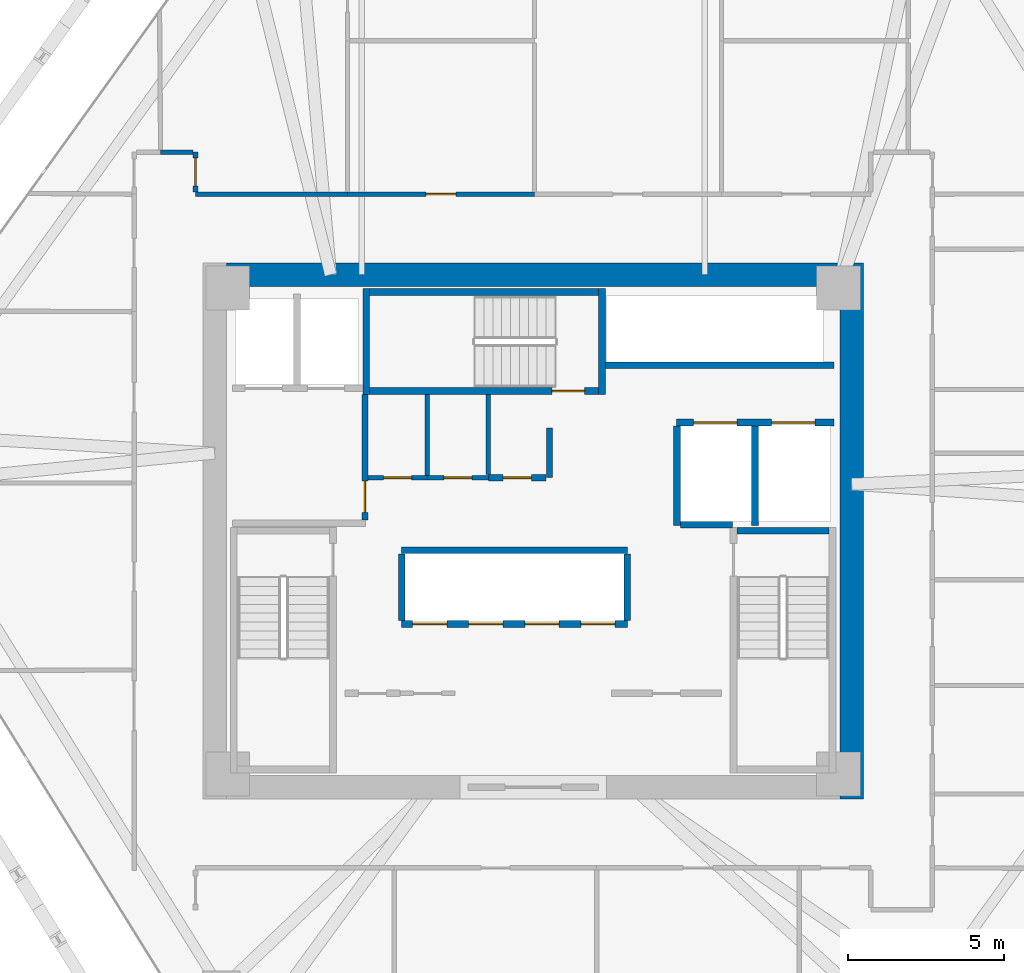
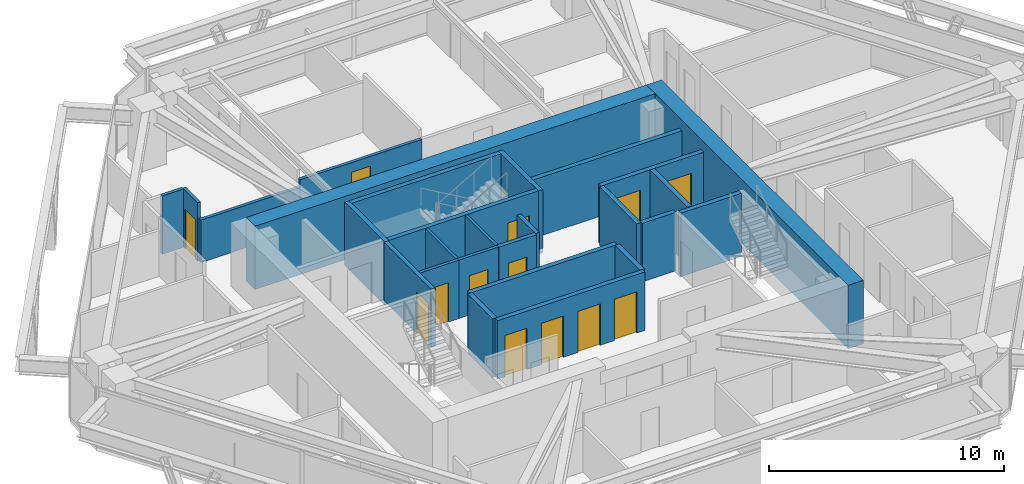
# One storey, part 11 of 14: 27 walls, 13 doors, 13 openings.
"""IFC4 building model written with IfcOpenShell, lengths in metres."""

from ifc_helpers import new_model, si_unit, direction, frame, frame_2d, origin, place, context, subcontext, project, spatial, rectangle, extrude, source, transform, mapped, material, layer, layer_set, type_object, type_shapes, element, fill, save


model = new_model("IFC4")

# Units and contexts
model_context = context("Model", 3, precision=1e-05, world=origin(), true_north=direction((0.0, 1.0)))
body_context = subcontext(model_context, "Body", "Model", "MODEL_VIEW")
ifc_project = project(units=[si_unit("LENGTHUNIT", "METRE"), si_unit("AREAUNIT", "SQUARE_METRE"), si_unit("VOLUMEUNIT", "CUBIC_METRE"), si_unit("PLANEANGLEUNIT", "RADIAN"), si_unit("MASSUNIT", "GRAM", prefix="KILO")], contexts=[model_context])

# Site, building, storey
site_placement = place(None, origin())
site = spatial("IfcSite", under=ifc_project, at=site_placement, CompositionType="ELEMENT")
building_placement = place(site_placement, origin())
building = spatial("IfcBuilding", under=site, at=building_placement, Name="Durnholm Broadcast Tower", CompositionType="ELEMENT")
storey_placement = place(building_placement, frame((0.0, 0.0, 120.60009765625)))
storey = spatial("IfcBuildingStorey", under=building, at=storey_placement, Name="L32", CompositionType="ELEMENT", Elevation=120.60009765625)

# Walls
ifc_material_1 = material(Name="Concrete C70/85", Category="concrete")
ifc_layer_1 = layer(ifc_material_1, 0.75)
ifc_layer_set_1 = layer_set([ifc_layer_1], Name="Concrete C70/85")
wall_type_1 = type_object("IfcWallType", Name="WALL-CW-750", PredefinedType="SHEAR", material=ifc_layer_set_1)
wall_1_placement = place(storey_placement, frame((10.22509765625, -8.60009765625, 0.0), z_axis=(0.0, 0.0, 1.0), x_axis=(0.0, 1.0, 0.0)))
element("IfcWall", 1, at=wall_1_placement, inside=storey, type_object=wall_type_1, Name="L32 central core shear wall CW-EAST", PredefinedType="SHEAR", context=body_context, shape_type="SweptSolid", body=[
    extrude(rectangle(XDim=17.2001953125, YDim=0.75, at=frame_2d((8.60009765625, 0.0))), origin(), (0.0, 0.0, 1.0), 3.2998046875),
])
wall_2_placement = place(storey_placement, frame((-9.85009765625, 8.22509765625, 0.0), z_axis=(0.0, 0.0, 1.0), x_axis=(1.0, 0.0, 0.0)))
element("IfcWall", 2, at=wall_2_placement, inside=storey, type_object=wall_type_1, Name="L32 central core shear wall CW-N", PredefinedType="SHEAR", context=body_context, shape_type="SweptSolid", body=[
    extrude(rectangle(XDim=19.7001953125, YDim=0.75, at=frame_2d((9.85009765625, 0.0))), origin(), (0.0, 0.0, 1.0), 3.2998046875),
])

# Wall, opening, door
ifc_material_2 = material(Name="Fire-Rated Gypsum Shaftwall", Category="concrete")
ifc_layer_2 = layer(ifc_material_2, 0.199951171875)
ifc_layer_set_2 = layer_set([ifc_layer_2], Name="Fire-Rated Gypsum Shaftwall")
wall_type_2 = type_object("IfcWallType", Name="WALL-LOB-200", PredefinedType="SOLIDWALL", material=ifc_layer_set_2)
wall_3_placement = place(storey_placement, frame((-5.39990234375, 0.35400390625, 0.0), z_axis=(0.0, 0.0, 1.0), x_axis=(0.0, 1.0, 0.0)))
wall_3 = element("IfcWall", 3, at=wall_3_placement, inside=storey, type_object=wall_type_2, Name="L32 Fire Service Access Elevator lobby east fire wall", PredefinedType="SOLIDWALL", context=body_context, shape_type="SweptSolid", body=[
    extrude(rectangle(XDim=4.02587890625, YDim=0.199951171875, at=frame_2d((2.012939453125, 0.0))), origin(), (0.0, 0.0, 1.0), 3.044921875),
])
opening_1_placement = place(wall_3_placement, frame((0.24609375, 0.0, 0.0)))
opening_1 = element("IfcOpeningElement", 4, at=opening_1_placement, cuts=wall_3, Name="Opening DL-60L", PredefinedType="OPENING", context=body_context, shape_type="SweptSolid", body=[
    extrude(rectangle(XDim=1.0, YDim=2.14990234375, at=frame_2d((0.5, 1.074951171875))), frame((0.0, 0.10986328125, 0.0), z_axis=(0.0, -1.0, 0.0), x_axis=(1.0, 0.0, 0.0)), (0.0, 0.0, 1.0), 0.219970703125),
])
ifc_material_3 = material(Name="Fire-Rated Timber/Steel Door", Category="steel")
ifc_layer_3 = layer(ifc_material_3, 0.050048828125)
ifc_layer_set_3 = layer_set([ifc_layer_3], Name="Fire-Rated Timber/Steel Door")
door_type_1 = type_object("IfcDoorType", Name="DOOR-LOB-FD60-L", OperationType="NOTDEFINED", PredefinedType="DOOR", material=ifc_layer_set_3)
shared_shape_1 = source(origin(), body_context, "Body", "SweptSolid", [
    extrude(rectangle(XDim=1.0, YDim=2.14990234375, at=frame_2d((0.5, 1.074951171875))), frame((0.0, 0.02490234375, 0.0), z_axis=(0.0, -1.0, 0.0), x_axis=(1.0, 0.0, 0.0)), (0.0, 0.0, 1.0), 0.050048828125),
])
type_shapes(door_type_1, [shared_shape_1])
door_1_placement = place(opening_1_placement, origin())
door_1 = element("IfcDoor", 5, at=door_1_placement, inside=storey, type_object=door_type_1, Name="L32 Fire Service Access Elevator lobby smoke door", OperationType="SINGLE_SWING_LEFT", OverallHeight=2.14990234375, OverallWidth=1.0, PredefinedType="DOOR", context=body_context, shape_type="MappedRepresentation", body=[
    mapped(shared_shape_1, transform((0.0, 0.0, 0.0), x_axis=(1.0, 0.0, 0.0), y_axis=(0.0, 1.0, 0.0), z_axis=(0.0, 0.0, 1.0), scale=1.0)),
])
fill(opening_1, door_1)

# Wall
wall_4_placement = place(storey_placement, frame((0.52001953125, 3.300048828125, 0.0), z_axis=(0.0, 0.0, 1.0), x_axis=(0.0, -1.0, 0.0)))
element("IfcWall", 6, at=wall_4_placement, inside=storey, type_object=wall_type_2, Name="L32 Core Telecom Patch Room corridor partition", PredefinedType="SOLIDWALL", context=body_context, shape_type="SweptSolid", body=[
    extrude(rectangle(XDim=1.590087890625, YDim=0.199951171875, at=frame_2d((0.794921875, 0.0))), origin(), (0.0, 0.0, 1.0), 3.044921875),
])

# Wall, opening, door
wall_5_placement = place(storey_placement, frame((0.416015625, 1.7099609375, 0.0), z_axis=(0.0, 0.0, 1.0), x_axis=(-1.0, 0.0, 0.0)))
wall_5 = element("IfcWall", 7, at=wall_5_placement, inside=storey, type_object=wall_type_2, Name="L32 Core Telecom Patch Room corridor partition", PredefinedType="SOLIDWALL", context=body_context, shape_type="SweptSolid", body=[
    extrude(rectangle(XDim=1.85595703125, YDim=0.199951171875, at=frame_2d((0.927978515625, 0.0))), origin(), (0.0, 0.0, 1.0), 3.044921875),
])
opening_2_placement = place(wall_5_placement, frame((0.47802734375, 0.0, 0.0)))
opening_2 = element("IfcOpeningElement", 8, at=opening_2_placement, cuts=wall_5, Name="Opening DC-60L", PredefinedType="OPENING", context=body_context, shape_type="SweptSolid", body=[
    extrude(rectangle(XDim=0.89990234375, YDim=2.050048828125, at=frame_2d((0.449951171875, 1.02490234375))), frame((0.0, 0.10986328125, 0.0), z_axis=(0.0, -1.0, 0.0), x_axis=(1.0, 0.0, 0.0)), (0.0, 0.0, 1.0), 0.219970703125),
])
ifc_material_4 = material(Name="Fire-Rated Core Service Door", Category="steel")
ifc_layer_4 = layer(ifc_material_4, 0.050048828125)
ifc_layer_set_4 = layer_set([ifc_layer_4], Name="Fire-Rated Core Service Door")
door_type_2 = type_object("IfcDoorType", Name="DOOR-CORE-FD60-L", OperationType="NOTDEFINED", PredefinedType="DOOR", material=ifc_layer_set_4)
shared_shape_2 = source(origin(), body_context, "Body", "SweptSolid", [
    extrude(rectangle(XDim=0.89990234375, YDim=2.050048828125, at=frame_2d((0.449951171875, 1.02490234375))), frame((0.0, 0.02490234375, 0.0), z_axis=(0.0, -1.0, 0.0), x_axis=(1.0, 0.0, 0.0)), (0.0, 0.0, 1.0), 0.050048828125),
])
type_shapes(door_type_2, [shared_shape_2])
door_2_placement = place(opening_2_placement, origin())
door_2 = element("IfcDoor", 9, at=door_2_placement, inside=storey, type_object=door_type_2, Name="L32 Core Telecom Patch Room entrance door", OperationType="SINGLE_SWING_LEFT", OverallHeight=2.050048828125, OverallWidth=0.89990234375, PredefinedType="DOOR", context=body_context, shape_type="MappedRepresentation", body=[
    mapped(shared_shape_2, transform((0.0, 0.0, 0.0), x_axis=(1.0, 0.0, 0.0), y_axis=(0.0, 1.0, 0.0), z_axis=(0.0, 0.0, 1.0), scale=1.0)),
])
fill(opening_2, door_2)

# Walls
ifc_material_5 = material(Name="Gypsum Metal Stud Partition", Category="concrete")
ifc_layer_5 = layer(ifc_material_5, 0.135009765625)
ifc_layer_set_5 = layer_set([ifc_layer_5], Name="Gypsum Metal Stud Partition")
wall_type_3 = type_object("IfcWallType", Name="WALL-PART-135", PredefinedType="PARTITIONING", material=ifc_layer_set_5)
wall_6_placement = place(storey_placement, frame((-3.39990234375, 4.375, 0.0), z_axis=(0.0, 0.0, 1.0), x_axis=(0.0, -1.0, 0.0)))
element("IfcWall", 10, at=wall_6_placement, inside=storey, type_object=wall_type_3, Name="L32 room dividing partition 4.5", PredefinedType="PARTITIONING", context=body_context, shape_type="SweptSolid", body=[
    extrude(rectangle(XDim=2.5859375, YDim=0.135009765625, at=frame_2d((1.29296875, 0.0))), origin(), (0.0, 0.0, 1.0), 3.044921875),
])
wall_7_placement = place(storey_placement, frame((-1.43994140625, 4.375, 0.0), z_axis=(0.0, 0.0, 1.0), x_axis=(0.0, -1.0, 0.0)))
element("IfcWall", 11, at=wall_7_placement, inside=storey, type_object=wall_type_3, Name="L32 room dividing partition 5.6", PredefinedType="PARTITIONING", context=body_context, shape_type="SweptSolid", body=[
    extrude(rectangle(XDim=2.56103515625, YDim=0.135009765625, at=frame_2d((1.280517578125, 0.0))), origin(), (0.0, 0.0, 1.0), 3.044921875),
])

# Wall, opening, door
ifc_material_6 = material(Name="Acoustic Gypsum Stud Partition", Category="concrete")
ifc_layer_6 = layer(ifc_material_6, 0.14990234375)
ifc_layer_set_6 = layer_set([ifc_layer_6], Name="Acoustic Gypsum Stud Partition")
wall_type_4 = type_object("IfcWallType", Name="WALL-PART-150", PredefinedType="PARTITIONING", material=ifc_layer_set_6)
wall_8_placement = place(storey_placement, frame((-3.39990234375, 1.7099609375, 0.0), z_axis=(0.0, 0.0, 1.0), x_axis=(-1.0, 0.0, 0.0)))
wall_8 = element("IfcWall", 12, at=wall_8_placement, inside=storey, type_object=wall_type_4, Name="L32 Core Copy and Print Closet corridor partition", PredefinedType="PARTITIONING", context=body_context, shape_type="SweptSolid", body=[
    extrude(rectangle(XDim=1.89599609375, YDim=0.14990234375, at=frame_2d((0.947998046875, 0.0))), origin(), (0.0, 0.0, 1.0), 3.044921875),
])
opening_3_placement = place(wall_8_placement, frame((0.498046875, 0.0, 0.0)))
opening_3 = element("IfcOpeningElement", 13, at=opening_3_placement, cuts=wall_8, Name="Opening DC-60L", PredefinedType="OPENING", context=body_context, shape_type="SweptSolid", body=[
    extrude(rectangle(XDim=0.89990234375, YDim=2.050048828125, at=frame_2d((0.449951171875, 1.02490234375))), frame((0.0, 0.0849609375, 0.0), z_axis=(0.0, -1.0, 0.0), x_axis=(1.0, 0.0, 0.0)), (0.0, 0.0, 1.0), 0.169921875),
])
door_3_placement = place(opening_3_placement, origin())
door_3 = element("IfcDoor", 14, at=door_3_placement, inside=storey, type_object=door_type_2, Name="L32 Core Copy and Print Closet entrance door", OperationType="SINGLE_SWING_LEFT", OverallHeight=2.050048828125, OverallWidth=0.89990234375, PredefinedType="DOOR", context=body_context, shape_type="MappedRepresentation", body=[
    mapped(shared_shape_2, transform((0.0, 0.0, 0.0), x_axis=(1.0, 0.0, 0.0), y_axis=(0.0, 1.0, 0.0), z_axis=(0.0, 0.0, 1.0), scale=1.0)),
])
fill(opening_3, door_3)

wall_9_placement = place(storey_placement, frame((-1.43994140625, 1.7099609375, 0.0), z_axis=(0.0, 0.0, 1.0), x_axis=(-1.0, 0.0, 0.0)))
wall_9 = element("IfcWall", 15, at=wall_9_placement, inside=storey, type_object=wall_type_4, Name="L32 Core Janitor Supply Closet corridor partition", PredefinedType="PARTITIONING", context=body_context, shape_type="SweptSolid", body=[
    extrude(rectangle(XDim=1.9599609375, YDim=0.14990234375, at=frame_2d((0.97998046875, 0.0))), origin(), (0.0, 0.0, 1.0), 3.044921875),
])
opening_4_placement = place(wall_9_placement, frame((0.530029296875, 0.0, 0.0)))
opening_4 = element("IfcOpeningElement", 16, at=opening_4_placement, cuts=wall_9, Name="Opening DC-60R", PredefinedType="OPENING", context=body_context, shape_type="SweptSolid", body=[
    extrude(rectangle(XDim=0.89990234375, YDim=2.050048828125, at=frame_2d((0.449951171875, 1.02490234375))), frame((0.0, 0.0849609375, 0.0), z_axis=(0.0, -1.0, 0.0), x_axis=(1.0, 0.0, 0.0)), (0.0, 0.0, 1.0), 0.169921875),
])
ifc_layer_7 = layer(ifc_material_4, 0.050048828125)
ifc_layer_set_7 = layer_set([ifc_layer_7], Name="Fire-Rated Core Service Door")
door_type_3 = type_object("IfcDoorType", Name="DOOR-CORE-FD60-R", OperationType="NOTDEFINED", PredefinedType="DOOR", material=ifc_layer_set_7)
shared_shape_3 = source(origin(), body_context, "Body", "SweptSolid", [
    extrude(rectangle(XDim=0.89990234375, YDim=2.050048828125, at=frame_2d((0.449951171875, 1.02490234375))), frame((0.0, 0.02490234375, 0.0), z_axis=(0.0, -1.0, 0.0), x_axis=(1.0, 0.0, 0.0)), (0.0, 0.0, 1.0), 0.050048828125),
])
type_shapes(door_type_3, [shared_shape_3])
door_4_placement = place(opening_4_placement, origin())
door_4 = element("IfcDoor", 17, at=door_4_placement, inside=storey, type_object=door_type_3, Name="L32 Core Janitor Supply Closet entrance door", OperationType="SINGLE_SWING_RIGHT", OverallHeight=2.050048828125, OverallWidth=0.89990234375, PredefinedType="DOOR", context=body_context, shape_type="MappedRepresentation", body=[
    mapped(shared_shape_3, transform((0.0, 0.0, 0.0), x_axis=(1.0, 0.0, 0.0), y_axis=(0.0, 1.0, 0.0), z_axis=(0.0, 0.0, 1.0), scale=1.0)),
])
fill(opening_4, door_4)

# Wall
wall_10_placement = place(storey_placement, frame((-5.9599609375, 10.81005859375, 0.0), z_axis=(0.0, 0.0, 1.0), x_axis=(-1.0, 0.0, 0.0)))
element("IfcWall", 18, at=wall_10_placement, inside=storey, type_object=wall_type_4, Name="L32 Open Plan Broadcast Workspace 3 corridor partition", PredefinedType="PARTITIONING", context=body_context, shape_type="SweptSolid", body=[
    extrude(rectangle(XDim=4.880126953125, YDim=0.14990234375, at=frame_2d((2.43994140625, 0.0))), origin(), (0.0, 0.0, 1.0), 2.2119140625),
])

# Wall, opening, door
wall_11_placement = place(storey_placement, frame((-10.840087890625, 10.888916015625, 0.0), z_axis=(0.0, 0.0, 1.0), x_axis=(0.0, 1.0, 0.0)))
wall_11 = element("IfcWall", 19, at=wall_11_placement, inside=storey, type_object=wall_type_4, Name="L32 Open Plan Broadcast Workspace 3 corridor partition", PredefinedType="PARTITIONING", context=body_context, shape_type="SweptSolid", body=[
    extrude(rectangle(XDim=1.27099609375, YDim=0.14990234375, at=frame_2d((0.635498046875, 0.0))), origin(), (0.0, 0.0, 1.0), 3.044921875),
])
opening_5_placement = place(wall_11_placement, frame((0.185546875, 0.0, 0.0)))
opening_5 = element("IfcOpeningElement", 20, at=opening_5_placement, cuts=wall_11, Name="Opening DW-90R", PredefinedType="OPENING", context=body_context, shape_type="SweptSolid", body=[
    extrude(rectangle(XDim=0.89990234375, YDim=2.050048828125, at=frame_2d((0.449951171875, 1.02490234375))), frame((0.0, 0.0849609375, 0.0), z_axis=(0.0, -1.0, 0.0), x_axis=(1.0, 0.0, 0.0)), (0.0, 0.0, 1.0), 0.169921875),
])
ifc_material_7 = material(Name="Laminate Restroom Door", Category="steel")
ifc_layer_8 = layer(ifc_material_7, 0.050048828125)
ifc_layer_set_8 = layer_set([ifc_layer_8], Name="Laminate Restroom Door")
door_type_4 = type_object("IfcDoorType", Name="DOOR-WC-900R", OperationType="NOTDEFINED", PredefinedType="DOOR", material=ifc_layer_set_8)
shared_shape_4 = source(origin(), body_context, "Body", "SweptSolid", [
    extrude(rectangle(XDim=0.89990234375, YDim=2.050048828125, at=frame_2d((0.449951171875, 1.02490234375))), frame((0.0, 0.02490234375, 0.0), z_axis=(0.0, -1.0, 0.0), x_axis=(1.0, 0.0, 0.0)), (0.0, 0.0, 1.0), 0.050048828125),
])
type_shapes(door_type_4, [shared_shape_4])
door_5_placement = place(opening_5_placement, origin())
door_5 = element("IfcDoor", 21, at=door_5_placement, inside=storey, type_object=door_type_4, Name="L32 Open Plan Broadcast Workspace 3 entrance door", OperationType="SINGLE_SWING_RIGHT", OverallHeight=2.050048828125, OverallWidth=0.89990234375, PredefinedType="DOOR", context=body_context, shape_type="MappedRepresentation", body=[
    mapped(shared_shape_4, transform((0.0, 0.0, 0.0), x_axis=(1.0, 0.0, 0.0), y_axis=(0.0, 1.0, 0.0), z_axis=(0.0, 0.0, 1.0), scale=1.0)),
])
fill(opening_5, door_5)

# Wall
wall_12_placement = place(storey_placement, frame((-10.9189453125, 12.159912109375, 0.0), z_axis=(0.0, 0.0, 1.0), x_axis=(-1.0, 0.0, 0.0)))
element("IfcWall", 22, at=wall_12_placement, inside=storey, type_object=wall_type_4, Name="L32 Open Plan Broadcast Workspace 3 corridor partition", PredefinedType="PARTITIONING", context=body_context, shape_type="SweptSolid", body=[
    extrude(rectangle(XDim=1.041015625, YDim=0.14990234375, at=frame_2d((0.5205078125, 0.0))), origin(), (0.0, 0.0, 1.0), 3.044921875),
])

# Wall, opening, door
wall_13_placement = place(storey_placement, frame((0.0400390625, 10.81005859375, 0.0), z_axis=(0.0, 0.0, 1.0), x_axis=(-1.0, 0.0, 0.0)))
wall_13 = element("IfcWall", 23, at=wall_13_placement, inside=storey, type_object=wall_type_4, Name="L32 Affiliate Dining Room corridor partition", PredefinedType="PARTITIONING", context=body_context, shape_type="SweptSolid", body=[
    extrude(rectangle(XDim=6.0, YDim=0.14990234375, at=frame_2d((3.0, 0.0))), origin(), (0.0, 0.0, 1.0), 2.608154296875),
])
opening_6_placement = place(wall_13_placement, frame((2.52490234375, 0.0, 0.0)))
opening_6 = element("IfcOpeningElement", 24, at=opening_6_placement, cuts=wall_13, Name="Opening DR-95L", PredefinedType="OPENING", context=body_context, shape_type="SweptSolid", body=[
    extrude(rectangle(XDim=0.949951171875, YDim=2.10009765625, at=frame_2d((0.47509765625, 1.050048828125))), frame((0.0, 0.0849609375, 0.0), z_axis=(0.0, -1.0, 0.0), x_axis=(1.0, 0.0, 0.0)), (0.0, 0.0, 1.0), 0.169921875),
])
ifc_material_8 = material(Name="Acoustic Oak Veneer Timber Door", Category="wood")
ifc_layer_9 = layer(ifc_material_8, 0.050048828125)
ifc_layer_set_9 = layer_set([ifc_layer_9], Name="Acoustic Oak Veneer Timber Door")
door_type_5 = type_object("IfcDoorType", Name="DOOR-RM-950L", OperationType="NOTDEFINED", PredefinedType="DOOR", material=ifc_layer_set_9)
shared_shape_5 = source(origin(), body_context, "Body", "SweptSolid", [
    extrude(rectangle(XDim=0.949951171875, YDim=2.10009765625, at=frame_2d((0.47509765625, 1.050048828125))), frame((0.0, 0.02490234375, 0.0), z_axis=(0.0, -1.0, 0.0), x_axis=(1.0, 0.0, 0.0)), (0.0, 0.0, 1.0), 0.050048828125),
])
type_shapes(door_type_5, [shared_shape_5])
door_6_placement = place(opening_6_placement, origin())
door_6 = element("IfcDoor", 25, at=door_6_placement, inside=storey, type_object=door_type_5, Name="L32 Affiliate Dining Room entrance door", OperationType="SINGLE_SWING_LEFT", OverallHeight=2.10009765625, OverallWidth=0.949951171875, PredefinedType="DOOR", context=body_context, shape_type="MappedRepresentation", body=[
    mapped(shared_shape_5, transform((0.0, 0.0, 0.0), x_axis=(1.0, 0.0, 0.0), y_axis=(0.0, 1.0, 0.0), z_axis=(0.0, 0.0, 1.0), scale=1.0)),
])
fill(opening_6, door_6)

# Wall, openings, doors
ifc_material_9 = material(Name="Concrete Blockwork C30/37", Category="masonry")
ifc_layer_10 = layer(ifc_material_9, 0.219970703125)
ifc_layer_set_10 = layer_set([ifc_layer_10], Name="Concrete Blockwork C30/37")
wall_type_5 = type_object("IfcWallType", Name="WALL-SHAFT-220", PredefinedType="SOLIDWALL", material=ifc_layer_set_10)
wall_14_placement = place(storey_placement, frame((4.60009765625, 3.47998046875, 0.0), z_axis=(0.0, 0.0, 1.0), x_axis=(1.0, 0.0, 0.0)))
wall_14 = element("IfcWall", 26, at=wall_14_placement, inside=storey, type_object=wall_type_5, Name="L32 freight service lifts north front wall", PredefinedType="SOLIDWALL", context=body_context, shape_type="SweptSolid", body=[
    extrude(rectangle(XDim=5.0498046875, YDim=0.219970703125, at=frame_2d((2.52490234375, 0.0))), origin(), (0.0, 0.0, 1.0), 3.044921875),
])
opening_7_placement = place(wall_14_placement, frame((0.550048828125, 0.0, 0.0)))
opening_7 = element("IfcOpeningElement", 27, at=opening_7_placement, cuts=wall_14, Name="Opening LD-SVL-2", PredefinedType="OPENING", context=body_context, shape_type="SweptSolid", body=[
    extrude(rectangle(XDim=1.39990234375, YDim=2.14990234375, at=frame_2d((0.699951171875, 1.074951171875))), frame((0.0, 0.1201171875, 0.0), z_axis=(0.0, -1.0, 0.0), x_axis=(1.0, 0.0, 0.0)), (0.0, 0.0, 1.0), 0.239990234375),
])
opening_8_placement = place(wall_14_placement, frame((3.050048828125, 0.0, 0.0)))
opening_8 = element("IfcOpeningElement", 28, at=opening_8_placement, cuts=wall_14, Name="Opening LD-SVL-1", PredefinedType="OPENING", context=body_context, shape_type="SweptSolid", body=[
    extrude(rectangle(XDim=1.39990234375, YDim=2.14990234375, at=frame_2d((0.699951171875, 1.074951171875))), frame((0.0, 0.1201171875, 0.0), z_axis=(0.0, -1.0, 0.0), x_axis=(1.0, 0.0, 0.0)), (0.0, 0.0, 1.0), 0.239990234375),
])
ifc_material_10 = material(Name="Freight Elevator Bi-Parting Sliding Landing Door", Category="steel")
ifc_layer_11 = layer(ifc_material_10, 0.050048828125)
ifc_layer_set_11 = layer_set([ifc_layer_11], Name="Freight Elevator Bi-Parting Sliding Landing Door")
door_type_6 = type_object("IfcDoorType", Name="DOOR-LIFT-SVL", OperationType="DOUBLE_DOOR_SLIDING", PredefinedType="DOOR", material=ifc_layer_set_11)
shared_shape_6 = source(origin(), body_context, "Body", "SweptSolid", [
    extrude(rectangle(XDim=1.39990234375, YDim=2.14990234375, at=frame_2d((0.699951171875, 1.074951171875))), frame((0.0, 0.02490234375, 0.0), z_axis=(0.0, -1.0, 0.0), x_axis=(1.0, 0.0, 0.0)), (0.0, 0.0, 1.0), 0.050048828125),
])
type_shapes(door_type_6, [shared_shape_6])
door_7_placement = place(opening_7_placement, origin())
door_7 = element("IfcDoor", 29, at=door_7_placement, inside=storey, type_object=door_type_6, Name="L32 freight service elevator SVL-2 sliding landing door", OperationType="DOUBLE_DOOR_SLIDING", OverallHeight=2.14990234375, OverallWidth=1.39990234375, PredefinedType="DOOR", context=body_context, shape_type="MappedRepresentation", body=[
    mapped(shared_shape_6, transform((0.0, 0.0, 0.0), x_axis=(1.0, 0.0, 0.0), y_axis=(0.0, 1.0, 0.0), z_axis=(0.0, 0.0, 1.0), scale=1.0)),
])
fill(opening_7, door_7)
door_8_placement = place(opening_8_placement, origin())
door_8 = element("IfcDoor", 30, at=door_8_placement, inside=storey, type_object=door_type_6, Name="L32 freight service elevator SVL-1 sliding landing door", OperationType="DOUBLE_DOOR_SLIDING", OverallHeight=2.14990234375, OverallWidth=1.39990234375, PredefinedType="DOOR", context=body_context, shape_type="MappedRepresentation", body=[
    mapped(shared_shape_6, transform((0.0, 0.0, 0.0), x_axis=(1.0, 0.0, 0.0), y_axis=(0.0, 1.0, 0.0), z_axis=(0.0, 0.0, 1.0), scale=1.0)),
])
fill(opening_8, door_8)

# Walls
for number, where, z_axis, x_axis, name in (
    (31, (4.6201171875, 0.179931640625, 0.0), (0.0, 0.0, 1.0), (0.0, 1.0, 0.0), "L32 freight service lift SVL-2 west wall"),
    (32, (7.1201171875, 0.179931640625, 0.0), (0.0, 0.0, 1.0), (0.0, 1.0, 0.0), "L32 freight service lifts divider wall"),
):
    element("IfcWall", number, at=place(storey_placement, frame(where, z_axis=z_axis, x_axis=x_axis)), inside=storey, type_object=wall_type_5, Name=name, PredefinedType="SOLIDWALL", context=body_context, shape_type="SweptSolid", body=[
        extrude(rectangle(XDim=3.18603515625, YDim=0.219970703125, at=frame_2d((1.593017578125, 0.0))), origin(), (0.0, 0.0, 1.0), 3.044921875),
    ])
wall_15_placement = place(storey_placement, frame((4.73388671875, 0.199951171875, 0.0), z_axis=(0.0, 0.0, 1.0), x_axis=(1.0, 0.0, 0.0)))
element("IfcWall", 33, at=wall_15_placement, inside=storey, type_object=wall_type_5, Name="L32 freight service lift SVL-2 south wall", PredefinedType="SOLIDWALL", context=body_context, shape_type="SweptSolid", body=[
    extrude(rectangle(XDim=1.666015625, YDim=0.219970703125, at=frame_2d((0.8330078125, 0.0))), origin(), (0.0, 0.0, 1.0), 3.044921875),
])

# Wall, openings, doors
wall_16_placement = place(storey_placement, frame((-4.219970703125, -2.97998046875, 0.0), z_axis=(0.0, 0.0, 1.0), x_axis=(1.0, 0.0, 0.0)))
wall_16 = element("IfcWall", 34, at=wall_16_placement, inside=storey, type_object=wall_type_5, Name="L32 mid-rise bank P2 south front wall", PredefinedType="SOLIDWALL", context=body_context, shape_type="SweptSolid", body=[
    extrude(rectangle(XDim=7.239990234375, YDim=0.219970703125, at=frame_2d((3.6201171875, 0.0))), origin(), (0.0, 0.0, 1.0), 3.044921875),
])
opening_9_placement = place(wall_16_placement, frame((0.35009765625, 0.0, 0.0)))
opening_9 = element("IfcOpeningElement", 35, at=opening_9_placement, cuts=wall_16, Name="Opening LD-LP2-1", PredefinedType="OPENING", context=body_context, shape_type="SweptSolid", body=[
    extrude(rectangle(XDim=1.10009765625, YDim=2.14990234375, at=frame_2d((0.550048828125, 1.074951171875))), frame((0.0, 0.1201171875, 0.0), z_axis=(0.0, -1.0, 0.0), x_axis=(1.0, 0.0, 0.0)), (0.0, 0.0, 1.0), 0.239990234375),
])
opening_10_placement = place(wall_16_placement, frame((2.14990234375, 0.0, 0.0)))
opening_10 = element("IfcOpeningElement", 36, at=opening_10_placement, cuts=wall_16, Name="Opening LD-LP2-2", PredefinedType="OPENING", context=body_context, shape_type="SweptSolid", body=[
    extrude(rectangle(XDim=1.10009765625, YDim=2.14990234375, at=frame_2d((0.550048828125, 1.074951171875))), frame((0.0, 0.1201171875, 0.0), z_axis=(0.0, -1.0, 0.0), x_axis=(1.0, 0.0, 0.0)), (0.0, 0.0, 1.0), 0.239990234375),
])
opening_11_placement = place(wall_16_placement, frame((3.949951171875, 0.0, 0.0)))
opening_11 = element("IfcOpeningElement", 37, at=opening_11_placement, cuts=wall_16, Name="Opening LD-LP2-3", PredefinedType="OPENING", context=body_context, shape_type="SweptSolid", body=[
    extrude(rectangle(XDim=1.10009765625, YDim=2.14990234375, at=frame_2d((0.550048828125, 1.074951171875))), frame((0.0, 0.1201171875, 0.0), z_axis=(0.0, -1.0, 0.0), x_axis=(1.0, 0.0, 0.0)), (0.0, 0.0, 1.0), 0.239990234375),
])
opening_12_placement = place(wall_16_placement, frame((5.75, 0.0, 0.0)))
opening_12 = element("IfcOpeningElement", 38, at=opening_12_placement, cuts=wall_16, Name="Opening LD-LP2-4", PredefinedType="OPENING", context=body_context, shape_type="SweptSolid", body=[
    extrude(rectangle(XDim=1.10009765625, YDim=2.14990234375, at=frame_2d((0.550048828125, 1.074951171875))), frame((0.0, 0.1201171875, 0.0), z_axis=(0.0, -1.0, 0.0), x_axis=(1.0, 0.0, 0.0)), (0.0, 0.0, 1.0), 0.239990234375),
])
ifc_material_11 = material(Name="Stainless Steel Sliding Elevator Landing Door", Category="steel")
ifc_layer_12 = layer(ifc_material_11, 0.050048828125)
ifc_layer_set_12 = layer_set([ifc_layer_12], Name="Stainless Steel Sliding Elevator Landing Door")
door_type_7 = type_object("IfcDoorType", Name="DOOR-LIFT-PAX", OperationType="DOUBLE_DOOR_SLIDING", PredefinedType="DOOR", material=ifc_layer_set_12)
shared_shape_7 = source(origin(), body_context, "Body", "SweptSolid", [
    extrude(rectangle(XDim=1.10009765625, YDim=2.14990234375, at=frame_2d((0.550048828125, 1.074951171875))), frame((0.0, 0.02490234375, 0.0), z_axis=(0.0, -1.0, 0.0), x_axis=(1.0, 0.0, 0.0)), (0.0, 0.0, 1.0), 0.050048828125),
])
type_shapes(door_type_7, [shared_shape_7])
door_9_placement = place(opening_9_placement, origin())
door_9 = element("IfcDoor", 39, at=door_9_placement, inside=storey, type_object=door_type_7, Name="L32 passenger elevator LP2-1 sliding landing door", OperationType="DOUBLE_DOOR_SLIDING", OverallHeight=2.14990234375, OverallWidth=1.10009765625, PredefinedType="DOOR", context=body_context, shape_type="MappedRepresentation", body=[
    mapped(shared_shape_7, transform((0.0, 0.0, 0.0), x_axis=(1.0, 0.0, 0.0), y_axis=(0.0, 1.0, 0.0), z_axis=(0.0, 0.0, 1.0), scale=1.0)),
])
fill(opening_9, door_9)
door_10_placement = place(opening_10_placement, origin())
door_10 = element("IfcDoor", 40, at=door_10_placement, inside=storey, type_object=door_type_7, Name="L32 passenger elevator LP2-2 sliding landing door", OperationType="DOUBLE_DOOR_SLIDING", OverallHeight=2.14990234375, OverallWidth=1.10009765625, PredefinedType="DOOR", context=body_context, shape_type="MappedRepresentation", body=[
    mapped(shared_shape_7, transform((0.0, 0.0, 0.0), x_axis=(1.0, 0.0, 0.0), y_axis=(0.0, 1.0, 0.0), z_axis=(0.0, 0.0, 1.0), scale=1.0)),
])
fill(opening_10, door_10)
door_11_placement = place(opening_11_placement, origin())
door_11 = element("IfcDoor", 41, at=door_11_placement, inside=storey, type_object=door_type_7, Name="L32 passenger elevator LP2-3 sliding landing door", OperationType="DOUBLE_DOOR_SLIDING", OverallHeight=2.14990234375, OverallWidth=1.10009765625, PredefinedType="DOOR", context=body_context, shape_type="MappedRepresentation", body=[
    mapped(shared_shape_7, transform((0.0, 0.0, 0.0), x_axis=(1.0, 0.0, 0.0), y_axis=(0.0, 1.0, 0.0), z_axis=(0.0, 0.0, 1.0), scale=1.0)),
])
fill(opening_11, door_11)
door_12_placement = place(opening_12_placement, origin())
door_12 = element("IfcDoor", 42, at=door_12_placement, inside=storey, type_object=door_type_7, Name="L32 passenger elevator LP2-4 sliding landing door", OperationType="DOUBLE_DOOR_SLIDING", OverallHeight=2.14990234375, OverallWidth=1.10009765625, PredefinedType="DOOR", context=body_context, shape_type="MappedRepresentation", body=[
    mapped(shared_shape_7, transform((0.0, 0.0, 0.0), x_axis=(1.0, 0.0, 0.0), y_axis=(0.0, 1.0, 0.0), z_axis=(0.0, 0.0, 1.0), scale=1.0)),
])
fill(opening_12, door_12)

# Walls
wall_17_placement = place(storey_placement, frame((-4.219970703125, -0.6201171875, 0.0), z_axis=(0.0, 0.0, 1.0), x_axis=(1.0, 0.0, 0.0)))
element("IfcWall", 43, at=wall_17_placement, inside=storey, type_object=wall_type_5, Name="L32 mid-rise bank P2 north shaft wall", PredefinedType="SOLIDWALL", context=body_context, shape_type="SweptSolid", body=[
    extrude(rectangle(XDim=7.239990234375, YDim=0.219970703125, at=frame_2d((3.6201171875, 0.0))), origin(), (0.0, 0.0, 1.0), 3.044921875),
])
for number, where, z_axis, x_axis, name in (
    (44, (-4.219970703125, -2.865966796875, 0.0), (0.0, 0.0, 1.0), (0.0, 1.0, 0.0), "L32 mid-rise bank P2 west shaft wall"),
    (45, (3.02001953125, -2.865966796875, 0.0), (0.0, 0.0, 1.0), (0.0, 1.0, 0.0), "L32 mid-rise bank P2 east shaft wall"),
):
    element("IfcWall", number, at=place(storey_placement, frame(where, z_axis=z_axis, x_axis=x_axis)), inside=storey, type_object=wall_type_5, Name=name, PredefinedType="SOLIDWALL", context=body_context, shape_type="SweptSolid", body=[
        extrude(rectangle(XDim=2.132080078125, YDim=0.219970703125, at=frame_2d((1.06591796875, 0.0))), origin(), (0.0, 0.0, 1.0), 3.044921875),
    ])
wall_18_placement = place(storey_placement, frame((2.324951171875, 5.320068359375, 0.0), z_axis=(0.0, 0.0, 1.0), x_axis=(1.0, 0.0, 0.0)))
element("IfcWall", 46, at=wall_18_placement, inside=storey, type_object=wall_type_5, Name="L32 high-rise bank P3 south front wall", PredefinedType="SOLIDWALL", context=body_context, shape_type="SweptSolid", body=[
    extrude(rectangle(XDim=7.324951171875, YDim=0.219970703125, at=frame_2d((3.66259765625, 0.0))), origin(), (0.0, 0.0, 1.0), 3.044921875),
])
ifc_material_12 = material(Name="Concrete C50/60", Category="concrete")
ifc_layer_13 = layer(ifc_material_12, 0.219970703125)
ifc_layer_set_13 = layer_set([ifc_layer_13], Name="Concrete C50/60")
wall_type_6 = type_object("IfcWallType", Name="WALL-SW-220", PredefinedType="SHEAR", material=ifc_layer_set_13)
wall_19_placement = place(storey_placement, frame((9.5, 0.010009765625, -0.239990234375), z_axis=(0.0, 0.0, 1.0), x_axis=(-1.0, 0.0, 0.0)))
element("IfcWall", 47, at=wall_19_placement, inside=storey, type_object=wall_type_6, Name="L32 stair ST-2 structural shaft wall N", PredefinedType="SHEAR", context=body_context, shape_type="SweptSolid", body=[
    extrude(rectangle(XDim=2.9599609375, YDim=0.219970703125, at=frame_2d((1.47998046875, 0.0))), origin(), (0.0, 0.0, 1.0), 3.2998046875),
])
for number, where, z_axis, x_axis, name in (
    (48, (2.2099609375, 4.3798828125, -0.239990234375), (0.0, 0.0, 1.0), (0.0, 1.0, 0.0), "L32 stair ST-3 structural shaft wall E"),
    (49, (-5.360107421875, 7.780029296875, -0.239990234375), (0.0, 0.0, 1.0), (0.0, -1.0, 0.0), "L32 stair ST-3 structural shaft wall W"),
):
    element("IfcWall", number, at=place(storey_placement, frame(where, z_axis=z_axis, x_axis=x_axis)), inside=storey, type_object=wall_type_6, Name=name, PredefinedType="SHEAR", context=body_context, shape_type="SweptSolid", body=[
        extrude(rectangle(XDim=3.400146484375, YDim=0.219970703125, at=frame_2d((1.7001953125, 0.0))), origin(), (0.0, 0.0, 1.0), 3.2998046875),
    ])

# Wall, opening, door
wall_20_placement = place(storey_placement, frame((-5.25, 4.489990234375, -0.239990234375), z_axis=(0.0, 0.0, 1.0), x_axis=(1.0, 0.0, 0.0)))
wall_20 = element("IfcWall", 50, at=wall_20_placement, inside=storey, type_object=wall_type_6, Name="L32 stair ST-3 structural shaft wall S", PredefinedType="SHEAR", context=body_context, shape_type="SweptSolid", body=[
    extrude(rectangle(XDim=7.35009765625, YDim=0.219970703125, at=frame_2d((3.675048828125, 0.0))), origin(), (0.0, 0.0, 1.0), 3.2998046875),
])
opening_13_placement = place(wall_20_placement, frame((5.85009765625, 0.0, 0.0)))
opening_13 = element("IfcOpeningElement", 51, at=opening_13_placement, cuts=wall_20, Name="Opening DS-90L", PredefinedType="OPENING", context=body_context, shape_type="SweptSolid", body=[
    extrude(rectangle(XDim=1.050048828125, YDim=2.14990234375, at=frame_2d((0.52490234375, 1.074951171875))), frame((0.0, 0.1201171875, 0.0), z_axis=(0.0, -1.0, 0.0), x_axis=(1.0, 0.0, 0.0)), (0.0, 0.0, 1.0), 0.239990234375),
])
ifc_material_13 = material(Name="Fire-Rated Steel Door", Category="steel")
ifc_layer_14 = layer(ifc_material_13, 0.050048828125)
ifc_layer_set_14 = layer_set([ifc_layer_14], Name="Fire-Rated Steel Door")
door_type_8 = type_object("IfcDoorType", Name="DOOR-ST-FD90-L", OperationType="NOTDEFINED", PredefinedType="DOOR", material=ifc_layer_set_14)
shared_shape_8 = source(origin(), body_context, "Body", "SweptSolid", [
    extrude(rectangle(XDim=1.050048828125, YDim=2.14990234375, at=frame_2d((0.52490234375, 1.074951171875))), frame((0.0, 0.02490234375, 0.0), z_axis=(0.0, -1.0, 0.0), x_axis=(1.0, 0.0, 0.0)), (0.0, 0.0, 1.0), 0.050048828125),
])
type_shapes(door_type_8, [shared_shape_8])
door_13_placement = place(opening_13_placement, origin())
door_13 = element("IfcDoor", 52, at=door_13_placement, inside=storey, type_object=door_type_8, Name="L32 exit stair ST-3 fire door", OperationType="SINGLE_SWING_LEFT", OverallHeight=2.14990234375, OverallWidth=1.050048828125, PredefinedType="DOOR", context=body_context, shape_type="MappedRepresentation", body=[
    mapped(shared_shape_8, transform((0.0, 0.0, 0.0), x_axis=(1.0, 0.0, 0.0), y_axis=(0.0, 1.0, 0.0), z_axis=(0.0, 0.0, 1.0), scale=1.0)),
])
fill(opening_13, door_13)

# Wall
wall_21_placement = place(storey_placement, frame((2.10009765625, 7.669921875, -0.239990234375), z_axis=(0.0, 0.0, 1.0), x_axis=(-1.0, 0.0, 0.0)))
element("IfcWall", 53, at=wall_21_placement, inside=storey, type_object=wall_type_6, Name="L32 stair ST-3 structural shaft wall N", PredefinedType="SHEAR", context=body_context, shape_type="SweptSolid", body=[
    extrude(rectangle(XDim=7.35009765625, YDim=0.219970703125, at=frame_2d((3.675048828125, 0.0))), origin(), (0.0, 0.0, 1.0), 3.2998046875),
])

save(model, "model.ifc")
